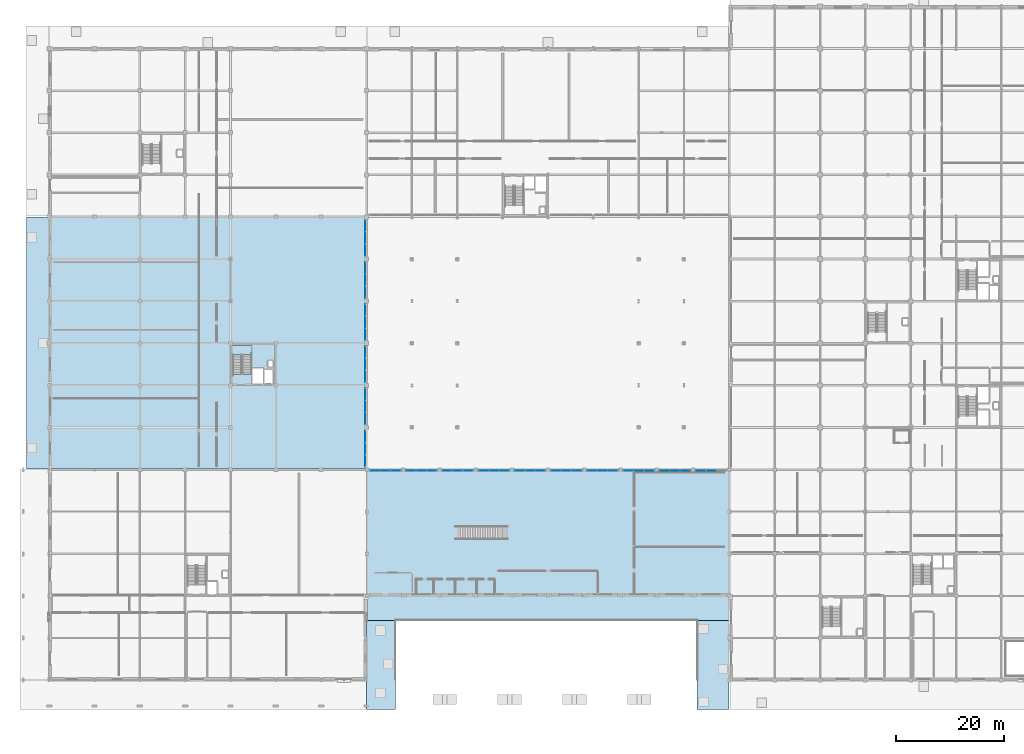
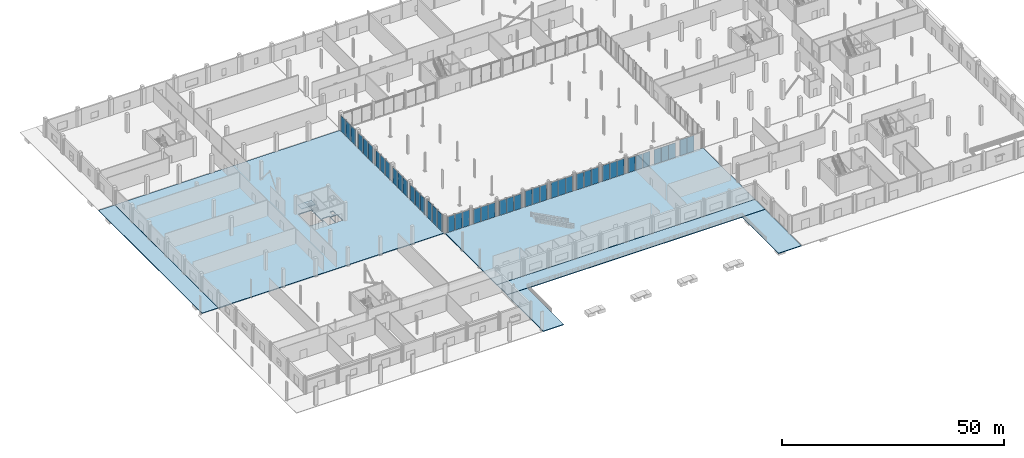
# One storey, part 41 of 80: 47 plates, 7 slabs, 17 elements without a shape of their own.
"""IFC4 building model written with IfcOpenShell, lengths in metres."""

from ifc_helpers import new_model, si_unit, direction, frame, origin, origin_2d, place, context, subcontext, project, spatial, polyline, rectangle, outline, extrude, material, layer, layer_set, type_object, element, aggregate, save


model = new_model("IFC4")

# Units and contexts
model_context = context("Model", 3, precision=1e-05, world=origin(), true_north=direction((0.0, 1.0)))
body_context = subcontext(model_context, "Body", "Model", "MODEL_VIEW")
ifc_project = project(units=[si_unit("LENGTHUNIT", "METRE"), si_unit("AREAUNIT", "SQUARE_METRE"), si_unit("VOLUMEUNIT", "CUBIC_METRE"), si_unit("PLANEANGLEUNIT", "RADIAN"), si_unit("MASSUNIT", "GRAM", prefix="KILO")], contexts=[model_context])

# Site, building, storey
site_placement = place(None, origin())
site = spatial("IfcSite", under=ifc_project, at=site_placement, CompositionType="ELEMENT")
building_placement = place(site_placement, origin())
building = spatial("IfcBuilding", under=site, at=building_placement, Name="Nabrawat Pavilion Hospital", CompositionType="ELEMENT")
storey_placement = place(building_placement, origin())
storey = spatial("IfcBuildingStorey", under=building, at=storey_placement, Name="L00", CompositionType="ELEMENT", Elevation=0.0)

# Slabs
ifc_material_1 = material(Name="Concrete C35/45", Category="concrete")
ifc_layer_1 = layer(ifc_material_1, 0.25, Name="Concrete C35/45")
ifc_layer_set_1 = layer_set([ifc_layer_1], Name="Concrete C35/45")
slab_type_1 = type_object("IfcSlabType", Name="Composite Lower Ward Slab 250", PredefinedType="FLOOR", material=ifc_layer_set_1)
slab_1_placement = place(storey_placement, frame((0.0, 0.0, -0.25)))
element("IfcSlab", 1, at=slab_1_placement, inside=storey, type_object=slab_type_1, Name="L00 Structural Floor Slab P_L00_V3_S", PredefinedType="FLOOR", context=body_context, shape_type="SweptSolid", body=[
    extrude(outline(polyline([(0.0, 39.1201171875), (58.800048828125, 39.1201171875), (58.800048828125, 85.800048828125), (0.0, 85.800048828125), (0.0, 39.1201171875)]), holes=[polyline([(39.719970703125, 54.89990234375), (39.719970703125, 57.5), (41.47998046875, 57.5), (41.47998046875, 54.89990234375), (39.719970703125, 54.89990234375)]), polyline([(40.550048828125, 58.050048828125), (40.550048828125, 59.14990234375), (41.449951171875, 59.14990234375), (41.449951171875, 58.050048828125), (40.550048828125, 58.050048828125)]), polyline([(37.699951171875, 54.89990234375), (37.699951171875, 57.800048828125), (39.659912109375, 57.800048828125), (39.659912109375, 54.89990234375), (37.699951171875, 54.89990234375)]), polyline([(37.449951171875, 56.669921875), (34.050048828125, 56.669921875), (34.050048828125, 61.949951171875), (37.449951171875, 61.949951171875), (37.449951171875, 56.669921875)])]), origin(), (0.0, 0.0, 1.0), 0.25),
])
ifc_layer_2 = layer(ifc_material_1, 0.199951171875, Name="Concrete C35/45")
ifc_layer_set_2 = layer_set([ifc_layer_2], Name="Concrete C35/45")
slab_type_2 = type_object("IfcSlabType", Name="Exterior Grade Driveway and Entry Apron 200", PredefinedType="FLOOR", material=ifc_layer_set_2)
slab_2_placement = place(storey_placement, frame((0.0, 0.0, -0.199951171875)))
element("IfcSlab", 2, at=slab_2_placement, inside=storey, type_object=slab_type_2, Name="L00 Main Entrance Arrival Promenade Slab", PredefinedType="FLOOR", context=body_context, shape_type="SweptSolid", body=[
    extrude(outline(polyline([(125.97998046875, 11.050048828125), (125.97998046875, 15.580078125), (58.93994140625, 15.580078125), (58.93994140625, 11.050048828125), (125.97998046875, 11.050048828125)])), origin(), (0.0, 0.0, 1.0), 0.199951171875),
])
slab_3_placement = place(storey_placement, frame((0.0, 0.0, -0.199951171875)))
element("IfcSlab", 3, at=slab_3_placement, inside=storey, type_object=slab_type_2, Name="L00 Forecourt West Walkway Apron", PredefinedType="FLOOR", context=body_context, shape_type="SweptSolid", body=[
    extrude(outline(polyline([(64.159912109375, -5.39990234375), (64.159912109375, 11.030029296875), (58.820068359375, 11.030029296875), (58.820068359375, -5.39990234375), (64.159912109375, -5.39990234375)])), origin(), (0.0, 0.0, 1.0), 0.199951171875),
])
slab_4_placement = place(storey_placement, frame((0.0, 0.0, -0.199951171875)))
element("IfcSlab", 4, at=slab_4_placement, inside=storey, type_object=slab_type_2, Name="L00 Forecourt East Walkway Apron", PredefinedType="FLOOR", context=body_context, shape_type="SweptSolid", body=[
    extrude(outline(polyline([(125.97998046875, -5.39990234375), (125.97998046875, 11.030029296875), (120.0400390625, 11.030029296875), (120.0400390625, -5.39990234375), (125.97998046875, -5.39990234375)])), origin(), (0.0, 0.0, 1.0), 0.199951171875),
])
slab_5_placement = place(storey_placement, frame((0.0, 0.0, -0.199951171875)))
element("IfcSlab", 5, at=slab_5_placement, inside=storey, type_object=slab_type_2, Name="L00 West Perimeter Exit Walkway Slab South", PredefinedType="FLOOR", context=body_context, shape_type="SweptSolid", body=[
    extrude(outline(polyline([(-0.02001953125, 39.139892578125), (-0.02001953125, 85.780029296875), (-4.199951171875, 85.780029296875), (-4.199951171875, 39.139892578125), (-0.02001953125, 39.139892578125)])), origin(), (0.0, 0.0, 1.0), 0.199951171875),
])

# Curtain wall, plates
ifc_material_2 = material(Name="Anodised Aluminium", Category="aluminium")
curtain_wall_type_1 = type_object("IfcCurtainWallType", Name="Healing Garden Cloister Curtain Wall", PredefinedType="USERDEFINED", material=ifc_material_2)
curtain_wall_1_placement = place(storey_placement, origin())
curtain_wall_1 = element("IfcCurtainWall", 6, at=curtain_wall_1_placement, inside=storey, type_object=curtain_wall_type_1, Name="L00 Healing Garden Cloister Curtain Wall 001", ObjectType="CURTAIN WALL", PredefinedType="USERDEFINED")
ifc_material_3 = material(Name="Double-Glazed Low-E Glass", Category="glass")
ifc_layer_3 = layer(ifc_material_3, 0.028076171875, Name="Double-Glazed Low-E Glass")
ifc_layer_set_3 = layer_set([ifc_layer_3], Name="Double-Glazed Low-E Glass")
plate_type_1 = type_object("IfcPlateType", Name="Healing Garden Cloister Curtain Wall Low-E Solar Panel 28", PredefinedType="CURTAIN_PANEL", material=ifc_layer_set_3)
plate_1_placement = place(storey_placement, frame((58.580078125, 40.617919921875, 0.06494140625), z_axis=(0.0, 0.0, 1.0), x_axis=(0.0, 1.0, 0.0)))
plate_1 = element("IfcPlate", 7, at=plate_1_placement, type_object=plate_type_1, Name="CW-CLN-01 panel 1.1", PredefinedType="CURTAIN_PANEL", context=body_context, shape_type="SweptSolid", body=[
    extrude(rectangle(XDim=2.17578125, YDim=0.028076171875, at=origin_2d()), origin(), (0.0, 0.0, 1.0), 4.679931640625),
])
plate_2_placement = place(storey_placement, frame((58.580078125, 42.875, 0.06494140625), z_axis=(0.0, 0.0, 1.0), x_axis=(0.0, 1.0, 0.0)))
plate_2 = element("IfcPlate", 8, at=plate_2_placement, type_object=plate_type_1, Name="CW-CLN-01 panel 2.1", PredefinedType="CURTAIN_PANEL", context=body_context, shape_type="SweptSolid", body=[
    extrude(rectangle(XDim=2.208251953125, YDim=0.028076171875, at=origin_2d()), origin(), (0.0, 0.0, 1.0), 4.679931640625),
])
plate_3_placement = place(storey_placement, frame((58.580078125, 45.132080078125, 0.06494140625), z_axis=(0.0, 0.0, 1.0), x_axis=(0.0, 1.0, 0.0)))
plate_3 = element("IfcPlate", 9, at=plate_3_placement, type_object=plate_type_1, Name="CW-CLN-01 panel 3.1", PredefinedType="CURTAIN_PANEL", context=body_context, shape_type="SweptSolid", body=[
    extrude(rectangle(XDim=2.17578125, YDim=0.028076171875, at=origin_2d()), origin(), (0.0, 0.0, 1.0), 4.679931640625),
])
aggregate(curtain_wall_1, [plate_1, plate_2, plate_3])

curtain_wall_2_placement = place(storey_placement, origin())
curtain_wall_2 = element("IfcCurtainWall", 10, at=curtain_wall_2_placement, inside=storey, type_object=curtain_wall_type_1, Name="L00 Healing Garden Cloister Curtain Wall 002", ObjectType="CURTAIN WALL", PredefinedType="USERDEFINED")
plate_4_placement = place(storey_placement, frame((58.580078125, 48.45947265625, 0.06494140625), z_axis=(0.0, 0.0, 1.0), x_axis=(0.0, 1.0, 0.0)))
plate_4 = element("IfcPlate", 11, at=plate_4_placement, type_object=plate_type_1, Name="CW-CLN-01 panel 1.1", PredefinedType="CURTAIN_PANEL", context=body_context, shape_type="SweptSolid", body=[
    extrude(rectangle(XDim=2.1591796875, YDim=0.028076171875, at=origin_2d()), origin(), (0.0, 0.0, 1.0), 4.2900390625),
])
plate_5_placement = place(storey_placement, frame((58.580078125, 50.699951171875, 0.06494140625), z_axis=(0.0, 0.0, 1.0), x_axis=(0.0, 1.0, 0.0)))
plate_5 = element("IfcPlate", 12, at=plate_5_placement, type_object=plate_type_1, Name="CW-CLN-01 panel 2.1", PredefinedType="CURTAIN_PANEL", context=body_context, shape_type="SweptSolid", body=[
    extrude(rectangle(XDim=2.191650390625, YDim=0.028076171875, at=origin_2d()), origin(), (0.0, 0.0, 1.0), 4.2900390625),
])
plate_6_placement = place(storey_placement, frame((58.580078125, 52.9404296875, 0.06494140625), z_axis=(0.0, 0.0, 1.0), x_axis=(0.0, 1.0, 0.0)))
plate_6 = element("IfcPlate", 13, at=plate_6_placement, type_object=plate_type_1, Name="CW-CLN-01 panel 3.1", PredefinedType="CURTAIN_PANEL", context=body_context, shape_type="SweptSolid", body=[
    extrude(rectangle(XDim=2.1591796875, YDim=0.028076171875, at=origin_2d()), origin(), (0.0, 0.0, 1.0), 4.2900390625),
])
aggregate(curtain_wall_2, [plate_4, plate_5, plate_6])

curtain_wall_3_placement = place(storey_placement, origin())
curtain_wall_3 = element("IfcCurtainWall", 14, at=curtain_wall_3_placement, inside=storey, type_object=curtain_wall_type_1, Name="L00 Healing Garden Cloister Curtain Wall 003", ObjectType="CURTAIN WALL", PredefinedType="USERDEFINED")
plate_7_placement = place(storey_placement, frame((58.580078125, 56.259521484375, 0.06494140625), z_axis=(0.0, 0.0, 1.0), x_axis=(0.0, 1.0, 0.0)))
plate_7 = element("IfcPlate", 15, at=plate_7_placement, type_object=plate_type_1, Name="CW-CLN-01 panel 1.1", PredefinedType="CURTAIN_PANEL", context=body_context, shape_type="SweptSolid", body=[
    extrude(rectangle(XDim=2.1591796875, YDim=0.028076171875, at=origin_2d()), origin(), (0.0, 0.0, 1.0), 4.2900390625),
])
plate_8_placement = place(storey_placement, frame((58.580078125, 58.5, 0.06494140625), z_axis=(0.0, 0.0, 1.0), x_axis=(0.0, 1.0, 0.0)))
plate_8 = element("IfcPlate", 16, at=plate_8_placement, type_object=plate_type_1, Name="CW-CLN-01 panel 2.1", PredefinedType="CURTAIN_PANEL", context=body_context, shape_type="SweptSolid", body=[
    extrude(rectangle(XDim=2.191650390625, YDim=0.028076171875, at=origin_2d()), origin(), (0.0, 0.0, 1.0), 4.2900390625),
])
plate_9_placement = place(storey_placement, frame((58.580078125, 60.740478515625, 0.06494140625), z_axis=(0.0, 0.0, 1.0), x_axis=(0.0, 1.0, 0.0)))
plate_9 = element("IfcPlate", 17, at=plate_9_placement, type_object=plate_type_1, Name="CW-CLN-01 panel 3.1", PredefinedType="CURTAIN_PANEL", context=body_context, shape_type="SweptSolid", body=[
    extrude(rectangle(XDim=2.1591796875, YDim=0.028076171875, at=origin_2d()), origin(), (0.0, 0.0, 1.0), 4.2900390625),
])
aggregate(curtain_wall_3, [plate_7, plate_8, plate_9])

curtain_wall_4_placement = place(storey_placement, origin())
curtain_wall_4 = element("IfcCurtainWall", 18, at=curtain_wall_4_placement, inside=storey, type_object=curtain_wall_type_1, Name="L00 Healing Garden Cloister Curtain Wall 004", ObjectType="CURTAIN WALL", PredefinedType="USERDEFINED")
plate_10_placement = place(storey_placement, frame((58.580078125, 64.0595703125, 0.06494140625), z_axis=(0.0, 0.0, 1.0), x_axis=(0.0, 1.0, 0.0)))
plate_10 = element("IfcPlate", 19, at=plate_10_placement, type_object=plate_type_1, Name="CW-CLN-01 panel 1.1", PredefinedType="CURTAIN_PANEL", context=body_context, shape_type="SweptSolid", body=[
    extrude(rectangle(XDim=2.1591796875, YDim=0.028076171875, at=origin_2d()), origin(), (0.0, 0.0, 1.0), 4.2900390625),
])
plate_11_placement = place(storey_placement, frame((58.580078125, 66.300048828125, 0.06494140625), z_axis=(0.0, 0.0, 1.0), x_axis=(0.0, 1.0, 0.0)))
plate_11 = element("IfcPlate", 20, at=plate_11_placement, type_object=plate_type_1, Name="CW-CLN-01 panel 2.1", PredefinedType="CURTAIN_PANEL", context=body_context, shape_type="SweptSolid", body=[
    extrude(rectangle(XDim=2.191650390625, YDim=0.028076171875, at=origin_2d()), origin(), (0.0, 0.0, 1.0), 4.2900390625),
])
plate_12_placement = place(storey_placement, frame((58.580078125, 68.54052734375, 0.06494140625), z_axis=(0.0, 0.0, 1.0), x_axis=(0.0, 1.0, 0.0)))
plate_12 = element("IfcPlate", 21, at=plate_12_placement, type_object=plate_type_1, Name="CW-CLN-01 panel 3.1", PredefinedType="CURTAIN_PANEL", context=body_context, shape_type="SweptSolid", body=[
    extrude(rectangle(XDim=2.1591796875, YDim=0.028076171875, at=origin_2d()), origin(), (0.0, 0.0, 1.0), 4.2900390625),
])
aggregate(curtain_wall_4, [plate_10, plate_11, plate_12])

curtain_wall_5_placement = place(storey_placement, origin())
curtain_wall_5 = element("IfcCurtainWall", 22, at=curtain_wall_5_placement, inside=storey, type_object=curtain_wall_type_1, Name="L00 Healing Garden Cloister Curtain Wall 005", ObjectType="CURTAIN WALL", PredefinedType="USERDEFINED")
plate_13_placement = place(storey_placement, frame((58.580078125, 71.859619140625, 0.06494140625), z_axis=(0.0, 0.0, 1.0), x_axis=(0.0, 1.0, 0.0)))
plate_13 = element("IfcPlate", 23, at=plate_13_placement, type_object=plate_type_1, Name="CW-CLN-01 panel 1.1", PredefinedType="CURTAIN_PANEL", context=body_context, shape_type="SweptSolid", body=[
    extrude(rectangle(XDim=2.1591796875, YDim=0.028076171875, at=origin_2d()), origin(), (0.0, 0.0, 1.0), 4.2900390625),
])
plate_14_placement = place(storey_placement, frame((58.580078125, 74.10009765625, 0.06494140625), z_axis=(0.0, 0.0, 1.0), x_axis=(0.0, 1.0, 0.0)))
plate_14 = element("IfcPlate", 24, at=plate_14_placement, type_object=plate_type_1, Name="CW-CLN-01 panel 2.1", PredefinedType="CURTAIN_PANEL", context=body_context, shape_type="SweptSolid", body=[
    extrude(rectangle(XDim=2.191650390625, YDim=0.028076171875, at=origin_2d()), origin(), (0.0, 0.0, 1.0), 4.2900390625),
])
plate_15_placement = place(storey_placement, frame((58.580078125, 76.34033203125, 0.06494140625), z_axis=(0.0, 0.0, 1.0), x_axis=(0.0, 1.0, 0.0)))
plate_15 = element("IfcPlate", 25, at=plate_15_placement, type_object=plate_type_1, Name="CW-CLN-01 panel 3.1", PredefinedType="CURTAIN_PANEL", context=body_context, shape_type="SweptSolid", body=[
    extrude(rectangle(XDim=2.1591796875, YDim=0.028076171875, at=origin_2d()), origin(), (0.0, 0.0, 1.0), 4.2900390625),
])
aggregate(curtain_wall_5, [plate_13, plate_14, plate_15])

curtain_wall_6_placement = place(storey_placement, origin())
curtain_wall_6 = element("IfcCurtainWall", 26, at=curtain_wall_6_placement, inside=storey, type_object=curtain_wall_type_1, Name="L00 Healing Garden Cloister Curtain Wall 006", ObjectType="CURTAIN WALL", PredefinedType="USERDEFINED")
plate_16_placement = place(storey_placement, frame((58.580078125, 79.65966796875, 0.06494140625), z_axis=(0.0, 0.0, 1.0), x_axis=(0.0, 1.0, 0.0)))
plate_16 = element("IfcPlate", 27, at=plate_16_placement, type_object=plate_type_1, Name="CW-CLN-01 panel 1.1", PredefinedType="CURTAIN_PANEL", context=body_context, shape_type="SweptSolid", body=[
    extrude(rectangle(XDim=2.1591796875, YDim=0.028076171875, at=origin_2d()), origin(), (0.0, 0.0, 1.0), 4.2900390625),
])
plate_17_placement = place(storey_placement, frame((58.580078125, 81.89990234375, 0.06494140625), z_axis=(0.0, 0.0, 1.0), x_axis=(0.0, 1.0, 0.0)))
plate_17 = element("IfcPlate", 28, at=plate_17_placement, type_object=plate_type_1, Name="CW-CLN-01 panel 2.1", PredefinedType="CURTAIN_PANEL", context=body_context, shape_type="SweptSolid", body=[
    extrude(rectangle(XDim=2.191650390625, YDim=0.028076171875, at=origin_2d()), origin(), (0.0, 0.0, 1.0), 4.2900390625),
])
plate_18_placement = place(storey_placement, frame((58.580078125, 84.140380859375, 0.06494140625), z_axis=(0.0, 0.0, 1.0), x_axis=(0.0, 1.0, 0.0)))
plate_18 = element("IfcPlate", 29, at=plate_18_placement, type_object=plate_type_1, Name="CW-CLN-01 panel 3.1", PredefinedType="CURTAIN_PANEL", context=body_context, shape_type="SweptSolid", body=[
    extrude(rectangle(XDim=2.1591796875, YDim=0.028076171875, at=origin_2d()), origin(), (0.0, 0.0, 1.0), 4.2900390625),
])
aggregate(curtain_wall_6, [plate_16, plate_17, plate_18])

# Slab
ifc_layer_4 = layer(ifc_material_1, 0.260009765625, Name="Concrete C35/45")
ifc_layer_set_4 = layer_set([ifc_layer_4], Name="Concrete C35/45")
slab_type_3 = type_object("IfcSlabType", Name="Main Concourse Ground Slab 260", PredefinedType="FLOOR", material=ifc_layer_set_4)
slab_6_placement = place(storey_placement, frame((0.0, 0.0, -0.260009765625)))
element("IfcSlab", 30, at=slab_6_placement, inside=storey, type_object=slab_type_3, Name="L00 Structural Floor Slab P_L00_V1", PredefinedType="FLOOR", context=body_context, shape_type="SweptSolid", body=[
    extrude(outline(polyline([(126.0, 15.60009765625), (126.0, 39.0), (58.919921875, 39.0), (58.919921875, 15.60009765625), (126.0, 15.60009765625)])), origin(), (0.0, 0.0, 1.0), 0.260009765625),
])

# Curtain wall, plates
curtain_wall_type_2 = type_object("IfcCurtainWallType", Name="Main Hall Pavilion Unitised Curtain Wall", PredefinedType="USERDEFINED", material=ifc_material_2)
curtain_wall_7_placement = place(storey_placement, origin())
curtain_wall_7 = element("IfcCurtainWall", 31, at=curtain_wall_7_placement, inside=storey, type_object=curtain_wall_type_2, Name="L00 Main Hall Pavilion Unitised Curtain Wall 007", ObjectType="CURTAIN WALL", PredefinedType="USERDEFINED")
ifc_layer_5 = layer(ifc_material_3, 0.035888671875, Name="Double-Glazed Low-E Glass")
ifc_layer_set_5 = layer_set([ifc_layer_5], Name="Double-Glazed Low-E Glass")
plate_type_2 = type_object("IfcPlateType", Name="Main Hall Pavilion Unitised Curtain Wall Low-E Solar Panel 36", PredefinedType="CURTAIN_PANEL", material=ifc_layer_set_5)
plate_19_placement = place(storey_placement, frame((60.36669921875, 38.780029296875, 0.0751953125), z_axis=(0.0, 0.0, 1.0), x_axis=(1.0, 0.0, 0.0)))
plate_19 = element("IfcPlate", 32, at=plate_19_placement, type_object=plate_type_2, Name="CW-MH-01 panel 1.1", PredefinedType="CURTAIN_PANEL", context=body_context, shape_type="SweptSolid", body=[
    extrude(rectangle(XDim=1.8134765625, YDim=0.035888671875, at=origin_2d()), origin(), (0.0, 0.0, 1.0), 4.300048828125),
])
plate_20_placement = place(storey_placement, frame((62.27392578125, 38.780029296875, 0.0751953125), z_axis=(0.0, 0.0, 1.0), x_axis=(1.0, 0.0, 0.0)))
plate_20 = element("IfcPlate", 33, at=plate_20_placement, type_object=plate_type_2, Name="CW-MH-01 panel 2.1", PredefinedType="CURTAIN_PANEL", context=body_context, shape_type="SweptSolid", body=[
    extrude(rectangle(XDim=1.85107421875, YDim=0.035888671875, at=origin_2d()), origin(), (0.0, 0.0, 1.0), 4.300048828125),
])
plate_21_placement = place(storey_placement, frame((64.18115234375, 38.780029296875, 0.0751953125), z_axis=(0.0, 0.0, 1.0), x_axis=(1.0, 0.0, 0.0)))
plate_21 = element("IfcPlate", 34, at=plate_21_placement, type_object=plate_type_2, Name="CW-MH-01 panel 3.1", PredefinedType="CURTAIN_PANEL", context=body_context, shape_type="SweptSolid", body=[
    extrude(rectangle(XDim=1.8134765625, YDim=0.035888671875, at=origin_2d()), origin(), (0.0, 0.0, 1.0), 4.300048828125),
])
aggregate(curtain_wall_7, [plate_19, plate_20, plate_21])

curtain_wall_8_placement = place(storey_placement, origin())
curtain_wall_8 = element("IfcCurtainWall", 35, at=curtain_wall_8_placement, inside=storey, type_object=curtain_wall_type_2, Name="L00 Main Hall Pavilion Unitised Curtain Wall 008", ObjectType="CURTAIN WALL", PredefinedType="USERDEFINED")
plate_22_placement = place(storey_placement, frame((67.07470703125, 38.780029296875, 0.0751953125), z_axis=(0.0, 0.0, 1.0), x_axis=(1.0, 0.0, 0.0)))
plate_22 = element("IfcPlate", 36, at=plate_22_placement, type_object=plate_type_2, Name="CW-MH-01 panel 1.1", PredefinedType="CURTAIN_PANEL", context=body_context, shape_type="SweptSolid", body=[
    extrude(rectangle(XDim=1.8134765625, YDim=0.035888671875, at=origin_2d()), origin(), (0.0, 0.0, 1.0), 3.989990234375),
])
plate_23_placement = place(storey_placement, frame((68.98193359375, 38.780029296875, 0.0751953125), z_axis=(0.0, 0.0, 1.0), x_axis=(1.0, 0.0, 0.0)))
plate_23 = element("IfcPlate", 37, at=plate_23_placement, type_object=plate_type_2, Name="CW-MH-01 panel 2.1", PredefinedType="CURTAIN_PANEL", context=body_context, shape_type="SweptSolid", body=[
    extrude(rectangle(XDim=1.85107421875, YDim=0.035888671875, at=origin_2d()), origin(), (0.0, 0.0, 1.0), 3.989990234375),
])
plate_24_placement = place(storey_placement, frame((70.88916015625, 38.780029296875, 0.0751953125), z_axis=(0.0, 0.0, 1.0), x_axis=(1.0, 0.0, 0.0)))
plate_24 = element("IfcPlate", 38, at=plate_24_placement, type_object=plate_type_2, Name="CW-MH-01 panel 3.1", PredefinedType="CURTAIN_PANEL", context=body_context, shape_type="SweptSolid", body=[
    extrude(rectangle(XDim=1.8134765625, YDim=0.035888671875, at=origin_2d()), origin(), (0.0, 0.0, 1.0), 3.989990234375),
])
aggregate(curtain_wall_8, [plate_22, plate_23, plate_24])

curtain_wall_9_placement = place(storey_placement, origin())
curtain_wall_9 = element("IfcCurtainWall", 39, at=curtain_wall_9_placement, inside=storey, type_object=curtain_wall_type_2, Name="L00 Main Hall Pavilion Unitised Curtain Wall 009", ObjectType="CURTAIN WALL", PredefinedType="USERDEFINED")
plate_25_placement = place(storey_placement, frame((73.78271484375, 38.780029296875, 0.0751953125), z_axis=(0.0, 0.0, 1.0), x_axis=(1.0, 0.0, 0.0)))
plate_25 = element("IfcPlate", 40, at=plate_25_placement, type_object=plate_type_2, Name="CW-MH-01 panel 1.1", PredefinedType="CURTAIN_PANEL", context=body_context, shape_type="SweptSolid", body=[
    extrude(rectangle(XDim=1.8134765625, YDim=0.035888671875, at=origin_2d()), origin(), (0.0, 0.0, 1.0), 3.989990234375),
])
plate_26_placement = place(storey_placement, frame((75.68994140625, 38.780029296875, 0.0751953125), z_axis=(0.0, 0.0, 1.0), x_axis=(1.0, 0.0, 0.0)))
plate_26 = element("IfcPlate", 41, at=plate_26_placement, type_object=plate_type_2, Name="CW-MH-01 panel 2.1", PredefinedType="CURTAIN_PANEL", context=body_context, shape_type="SweptSolid", body=[
    extrude(rectangle(XDim=1.85107421875, YDim=0.035888671875, at=origin_2d()), origin(), (0.0, 0.0, 1.0), 3.989990234375),
])
plate_27_placement = place(storey_placement, frame((77.59716796875, 38.780029296875, 0.0751953125), z_axis=(0.0, 0.0, 1.0), x_axis=(1.0, 0.0, 0.0)))
plate_27 = element("IfcPlate", 42, at=plate_27_placement, type_object=plate_type_2, Name="CW-MH-01 panel 3.1", PredefinedType="CURTAIN_PANEL", context=body_context, shape_type="SweptSolid", body=[
    extrude(rectangle(XDim=1.8134765625, YDim=0.035888671875, at=origin_2d()), origin(), (0.0, 0.0, 1.0), 3.989990234375),
])
aggregate(curtain_wall_9, [plate_25, plate_26, plate_27])

curtain_wall_10_placement = place(storey_placement, origin())
curtain_wall_10 = element("IfcCurtainWall", 43, at=curtain_wall_10_placement, inside=storey, type_object=curtain_wall_type_2, Name="L00 Main Hall Pavilion Unitised Curtain Wall 010", ObjectType="CURTAIN WALL", PredefinedType="USERDEFINED")
plate_28_placement = place(storey_placement, frame((80.49072265625, 38.780029296875, 0.0751953125), z_axis=(0.0, 0.0, 1.0), x_axis=(1.0, 0.0, 0.0)))
plate_28 = element("IfcPlate", 44, at=plate_28_placement, type_object=plate_type_2, Name="CW-MH-01 panel 1.1", PredefinedType="CURTAIN_PANEL", context=body_context, shape_type="SweptSolid", body=[
    extrude(rectangle(XDim=1.8134765625, YDim=0.035888671875, at=origin_2d()), origin(), (0.0, 0.0, 1.0), 4.300048828125),
])
plate_29_placement = place(storey_placement, frame((82.39794921875, 38.780029296875, 0.0751953125), z_axis=(0.0, 0.0, 1.0), x_axis=(1.0, 0.0, 0.0)))
plate_29 = element("IfcPlate", 45, at=plate_29_placement, type_object=plate_type_2, Name="CW-MH-01 panel 2.1", PredefinedType="CURTAIN_PANEL", context=body_context, shape_type="SweptSolid", body=[
    extrude(rectangle(XDim=1.85107421875, YDim=0.035888671875, at=origin_2d()), origin(), (0.0, 0.0, 1.0), 4.300048828125),
])
plate_30_placement = place(storey_placement, frame((84.30517578125, 38.780029296875, 0.0751953125), z_axis=(0.0, 0.0, 1.0), x_axis=(1.0, 0.0, 0.0)))
plate_30 = element("IfcPlate", 46, at=plate_30_placement, type_object=plate_type_2, Name="CW-MH-01 panel 3.1", PredefinedType="CURTAIN_PANEL", context=body_context, shape_type="SweptSolid", body=[
    extrude(rectangle(XDim=1.8134765625, YDim=0.035888671875, at=origin_2d()), origin(), (0.0, 0.0, 1.0), 4.300048828125),
])
aggregate(curtain_wall_10, [plate_28, plate_29, plate_30])

curtain_wall_11_placement = place(storey_placement, origin())
curtain_wall_11 = element("IfcCurtainWall", 47, at=curtain_wall_11_placement, inside=storey, type_object=curtain_wall_type_2, Name="L00 Main Hall Pavilion Unitised Curtain Wall 011", ObjectType="CURTAIN WALL", PredefinedType="USERDEFINED")
plate_31_placement = place(storey_placement, frame((87.19873046875, 38.780029296875, 0.0751953125), z_axis=(0.0, 0.0, 1.0), x_axis=(1.0, 0.0, 0.0)))
plate_31 = element("IfcPlate", 48, at=plate_31_placement, type_object=plate_type_2, Name="CW-MH-01 panel 1.1", PredefinedType="CURTAIN_PANEL", context=body_context, shape_type="SweptSolid", body=[
    extrude(rectangle(XDim=1.8134765625, YDim=0.035888671875, at=origin_2d()), origin(), (0.0, 0.0, 1.0), 4.300048828125),
])
plate_32_placement = place(storey_placement, frame((89.10595703125, 38.780029296875, 0.0751953125), z_axis=(0.0, 0.0, 1.0), x_axis=(1.0, 0.0, 0.0)))
plate_32 = element("IfcPlate", 49, at=plate_32_placement, type_object=plate_type_2, Name="CW-MH-01 panel 2.1", PredefinedType="CURTAIN_PANEL", context=body_context, shape_type="SweptSolid", body=[
    extrude(rectangle(XDim=1.85107421875, YDim=0.035888671875, at=origin_2d()), origin(), (0.0, 0.0, 1.0), 4.300048828125),
])
plate_33_placement = place(storey_placement, frame((91.01318359375, 38.780029296875, 0.0751953125), z_axis=(0.0, 0.0, 1.0), x_axis=(1.0, 0.0, 0.0)))
plate_33 = element("IfcPlate", 50, at=plate_33_placement, type_object=plate_type_2, Name="CW-MH-01 panel 3.1", PredefinedType="CURTAIN_PANEL", context=body_context, shape_type="SweptSolid", body=[
    extrude(rectangle(XDim=1.8134765625, YDim=0.035888671875, at=origin_2d()), origin(), (0.0, 0.0, 1.0), 4.300048828125),
])
aggregate(curtain_wall_11, [plate_31, plate_32, plate_33])

curtain_wall_12_placement = place(storey_placement, origin())
curtain_wall_12 = element("IfcCurtainWall", 51, at=curtain_wall_12_placement, inside=storey, type_object=curtain_wall_type_2, Name="L00 Main Hall Pavilion Unitised Curtain Wall 012", ObjectType="CURTAIN WALL", PredefinedType="USERDEFINED")
plate_34_placement = place(storey_placement, frame((93.90673828125, 38.780029296875, 0.0751953125), z_axis=(0.0, 0.0, 1.0), x_axis=(1.0, 0.0, 0.0)))
plate_34 = element("IfcPlate", 52, at=plate_34_placement, type_object=plate_type_2, Name="CW-MH-01 panel 1.1", PredefinedType="CURTAIN_PANEL", context=body_context, shape_type="SweptSolid", body=[
    extrude(rectangle(XDim=1.8134765625, YDim=0.035888671875, at=origin_2d()), origin(), (0.0, 0.0, 1.0), 4.300048828125),
])
plate_35_placement = place(storey_placement, frame((95.81396484375, 38.780029296875, 0.0751953125), z_axis=(0.0, 0.0, 1.0), x_axis=(1.0, 0.0, 0.0)))
plate_35 = element("IfcPlate", 53, at=plate_35_placement, type_object=plate_type_2, Name="CW-MH-01 panel 2.1", PredefinedType="CURTAIN_PANEL", context=body_context, shape_type="SweptSolid", body=[
    extrude(rectangle(XDim=1.85107421875, YDim=0.035888671875, at=origin_2d()), origin(), (0.0, 0.0, 1.0), 4.300048828125),
])
plate_36_placement = place(storey_placement, frame((97.72119140625, 38.780029296875, 0.0751953125), z_axis=(0.0, 0.0, 1.0), x_axis=(1.0, 0.0, 0.0)))
plate_36 = element("IfcPlate", 54, at=plate_36_placement, type_object=plate_type_2, Name="CW-MH-01 panel 3.1", PredefinedType="CURTAIN_PANEL", context=body_context, shape_type="SweptSolid", body=[
    extrude(rectangle(XDim=1.8134765625, YDim=0.035888671875, at=origin_2d()), origin(), (0.0, 0.0, 1.0), 4.300048828125),
])
aggregate(curtain_wall_12, [plate_34, plate_35, plate_36])

curtain_wall_13_placement = place(storey_placement, origin())
curtain_wall_13 = element("IfcCurtainWall", 55, at=curtain_wall_13_placement, inside=storey, type_object=curtain_wall_type_2, Name="L00 Main Hall Pavilion Unitised Curtain Wall 013", ObjectType="CURTAIN WALL", PredefinedType="USERDEFINED")
plate_37_placement = place(storey_placement, frame((100.61474609375, 38.780029296875, 0.0751953125), z_axis=(0.0, 0.0, 1.0), x_axis=(1.0, 0.0, 0.0)))
plate_37 = element("IfcPlate", 56, at=plate_37_placement, type_object=plate_type_2, Name="CW-MH-01 panel 1.1", PredefinedType="CURTAIN_PANEL", context=body_context, shape_type="SweptSolid", body=[
    extrude(rectangle(XDim=1.8134765625, YDim=0.035888671875, at=origin_2d()), origin(), (0.0, 0.0, 1.0), 4.300048828125),
])
plate_38_placement = place(storey_placement, frame((102.52197265625, 38.780029296875, 0.0751953125), z_axis=(0.0, 0.0, 1.0), x_axis=(1.0, 0.0, 0.0)))
plate_38 = element("IfcPlate", 57, at=plate_38_placement, type_object=plate_type_2, Name="CW-MH-01 panel 2.1", PredefinedType="CURTAIN_PANEL", context=body_context, shape_type="SweptSolid", body=[
    extrude(rectangle(XDim=1.85107421875, YDim=0.035888671875, at=origin_2d()), origin(), (0.0, 0.0, 1.0), 4.300048828125),
])
plate_39_placement = place(storey_placement, frame((104.42919921875, 38.780029296875, 0.0751953125), z_axis=(0.0, 0.0, 1.0), x_axis=(1.0, 0.0, 0.0)))
plate_39 = element("IfcPlate", 58, at=plate_39_placement, type_object=plate_type_2, Name="CW-MH-01 panel 3.1", PredefinedType="CURTAIN_PANEL", context=body_context, shape_type="SweptSolid", body=[
    extrude(rectangle(XDim=1.8134765625, YDim=0.035888671875, at=origin_2d()), origin(), (0.0, 0.0, 1.0), 4.300048828125),
])
aggregate(curtain_wall_13, [plate_37, plate_38, plate_39])

curtain_wall_14_placement = place(storey_placement, origin())
curtain_wall_14 = element("IfcCurtainWall", 59, at=curtain_wall_14_placement, inside=storey, type_object=curtain_wall_type_2, Name="L00 Main Hall Pavilion Unitised Curtain Wall 014", ObjectType="CURTAIN WALL", PredefinedType="USERDEFINED")
plate_40_placement = place(storey_placement, frame((107.32275390625, 38.780029296875, 0.0751953125), z_axis=(0.0, 0.0, 1.0), x_axis=(1.0, 0.0, 0.0)))
plate_40 = element("IfcPlate", 60, at=plate_40_placement, type_object=plate_type_2, Name="CW-MH-01 panel 1.1", PredefinedType="CURTAIN_PANEL", context=body_context, shape_type="SweptSolid", body=[
    extrude(rectangle(XDim=1.8134765625, YDim=0.035888671875, at=origin_2d()), origin(), (0.0, 0.0, 1.0), 3.989990234375),
])
plate_41_placement = place(storey_placement, frame((109.22998046875, 38.780029296875, 0.0751953125), z_axis=(0.0, 0.0, 1.0), x_axis=(1.0, 0.0, 0.0)))
plate_41 = element("IfcPlate", 61, at=plate_41_placement, type_object=plate_type_2, Name="CW-MH-01 panel 2.1", PredefinedType="CURTAIN_PANEL", context=body_context, shape_type="SweptSolid", body=[
    extrude(rectangle(XDim=1.85107421875, YDim=0.035888671875, at=origin_2d()), origin(), (0.0, 0.0, 1.0), 3.989990234375),
])
plate_42_placement = place(storey_placement, frame((111.13720703125, 38.780029296875, 0.0751953125), z_axis=(0.0, 0.0, 1.0), x_axis=(1.0, 0.0, 0.0)))
plate_42 = element("IfcPlate", 62, at=plate_42_placement, type_object=plate_type_2, Name="CW-MH-01 panel 3.1", PredefinedType="CURTAIN_PANEL", context=body_context, shape_type="SweptSolid", body=[
    extrude(rectangle(XDim=1.8134765625, YDim=0.035888671875, at=origin_2d()), origin(), (0.0, 0.0, 1.0), 3.989990234375),
])
aggregate(curtain_wall_14, [plate_40, plate_41, plate_42])

curtain_wall_15_placement = place(storey_placement, origin())
curtain_wall_15 = element("IfcCurtainWall", 63, at=curtain_wall_15_placement, inside=storey, type_object=curtain_wall_type_2, Name="L00 Main Hall Pavilion Unitised Curtain Wall 015", ObjectType="CURTAIN WALL", PredefinedType="USERDEFINED")
plate_43_placement = place(storey_placement, frame((114.03076171875, 38.780029296875, 0.0751953125), z_axis=(0.0, 0.0, 1.0), x_axis=(1.0, 0.0, 0.0)))
plate_43 = element("IfcPlate", 64, at=plate_43_placement, type_object=plate_type_2, Name="CW-MH-01 panel 1.1", PredefinedType="CURTAIN_PANEL", context=body_context, shape_type="SweptSolid", body=[
    extrude(rectangle(XDim=1.8134765625, YDim=0.035888671875, at=origin_2d()), origin(), (0.0, 0.0, 1.0), 3.989990234375),
])
plate_44_placement = place(storey_placement, frame((115.93798828125, 38.780029296875, 0.0751953125), z_axis=(0.0, 0.0, 1.0), x_axis=(1.0, 0.0, 0.0)))
plate_44 = element("IfcPlate", 65, at=plate_44_placement, type_object=plate_type_2, Name="CW-MH-01 panel 2.1", PredefinedType="CURTAIN_PANEL", context=body_context, shape_type="SweptSolid", body=[
    extrude(rectangle(XDim=1.85107421875, YDim=0.035888671875, at=origin_2d()), origin(), (0.0, 0.0, 1.0), 3.989990234375),
])
plate_45_placement = place(storey_placement, frame((117.84521484375, 38.780029296875, 0.0751953125), z_axis=(0.0, 0.0, 1.0), x_axis=(1.0, 0.0, 0.0)))
plate_45 = element("IfcPlate", 66, at=plate_45_placement, type_object=plate_type_2, Name="CW-MH-01 panel 3.1", PredefinedType="CURTAIN_PANEL", context=body_context, shape_type="SweptSolid", body=[
    extrude(rectangle(XDim=1.8134765625, YDim=0.035888671875, at=origin_2d()), origin(), (0.0, 0.0, 1.0), 3.989990234375),
])
aggregate(curtain_wall_15, [plate_43, plate_44, plate_45])

curtain_wall_16_placement = place(storey_placement, origin())
curtain_wall_16 = element("IfcCurtainWall", 67, at=curtain_wall_16_placement, inside=storey, type_object=curtain_wall_type_2, Name="L00 Main Hall Pavilion Unitised Curtain Wall 016", ObjectType="CURTAIN WALL", PredefinedType="USERDEFINED")
plate_46_placement = place(storey_placement, frame((120.73876953125, 38.780029296875, 0.0751953125), z_axis=(0.0, 0.0, 1.0), x_axis=(1.0, 0.0, 0.0)))
plate_46 = element("IfcPlate", 68, at=plate_46_placement, type_object=plate_type_2, Name="CW-MH-01 panel 1.1", PredefinedType="CURTAIN_PANEL", context=body_context, shape_type="SweptSolid", body=[
    extrude(rectangle(XDim=1.8134765625, YDim=0.035888671875, at=origin_2d()), origin(), (0.0, 0.0, 1.0), 4.300048828125),
])
plate_47_placement = place(storey_placement, frame((122.64599609375, 38.780029296875, 0.0751953125), z_axis=(0.0, 0.0, 1.0), x_axis=(1.0, 0.0, 0.0)))
plate_47 = element("IfcPlate", 69, at=plate_47_placement, type_object=plate_type_2, Name="CW-MH-01 panel 2.1", PredefinedType="CURTAIN_PANEL", context=body_context, shape_type="SweptSolid", body=[
    extrude(rectangle(XDim=1.85107421875, YDim=0.035888671875, at=origin_2d()), origin(), (0.0, 0.0, 1.0), 4.300048828125),
])
aggregate(curtain_wall_16, [plate_46, plate_47])

# Stair, slab
stair_type = type_object("IfcStairType", Name="Core Dogleg Escape Stair Assembly", PredefinedType="HALF_TURN_STAIR", material=ifc_material_1)
stair_placement = place(storey_placement, origin())
stair = element("IfcStair", 70, at=stair_placement, inside=storey, type_object=stair_type, Name="L00 Surgical Stair and Bed-Lift Core 2", PredefinedType="HALF_TURN_STAIR")
ifc_layer_6 = layer(ifc_material_1, 0.199951171875, Name="Concrete C35/45")
ifc_layer_set_6 = layer_set([ifc_layer_6], Name="Concrete C35/45")
slab_type_4 = type_object("IfcSlabType", Name="Reinforced Concrete Stair Half-Landing 200", PredefinedType="LANDING", material=ifc_layer_set_6)
slab_7_placement = place(storey_placement, frame((0.0, 0.0, 2.35009765625)))
slab_7 = element("IfcSlab", 71, at=slab_7_placement, type_object=slab_type_4, Name="ST-02 landing 1", PredefinedType="LANDING", context=body_context, shape_type="SweptSolid", body=[
    extrude(outline(polyline([(37.469970703125, 60.2451171875), (37.469970703125, 62.1201171875), (33.8798828125, 62.1201171875), (33.8798828125, 60.2451171875), (37.469970703125, 60.2451171875)])), origin(), (0.0, 0.0, 1.0), 0.199951171875),
])
aggregate(stair, [slab_7])

save(model, "model.ifc")
